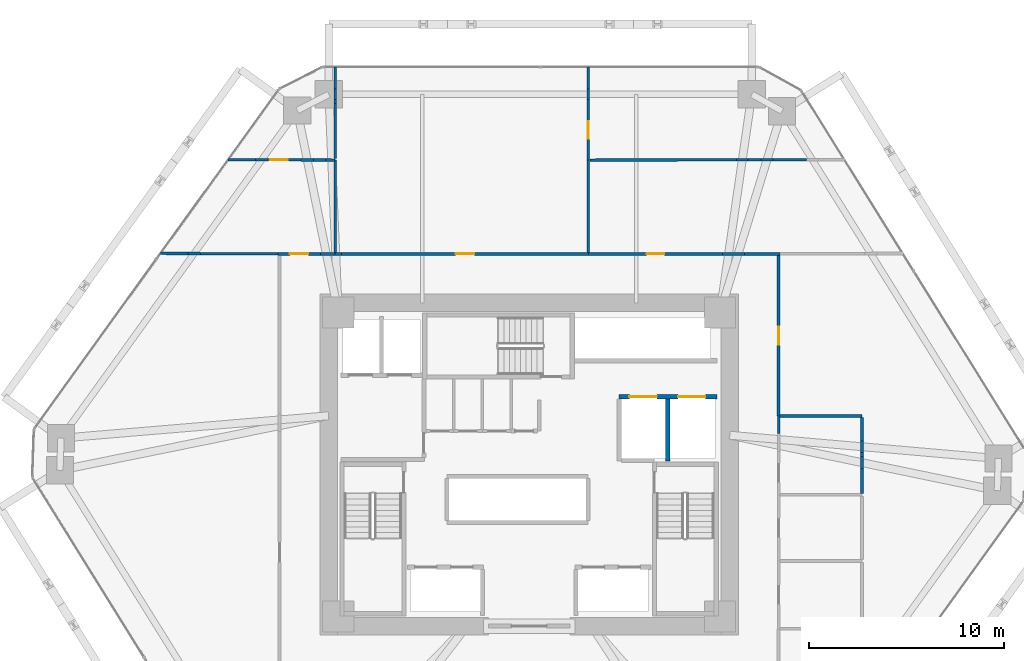
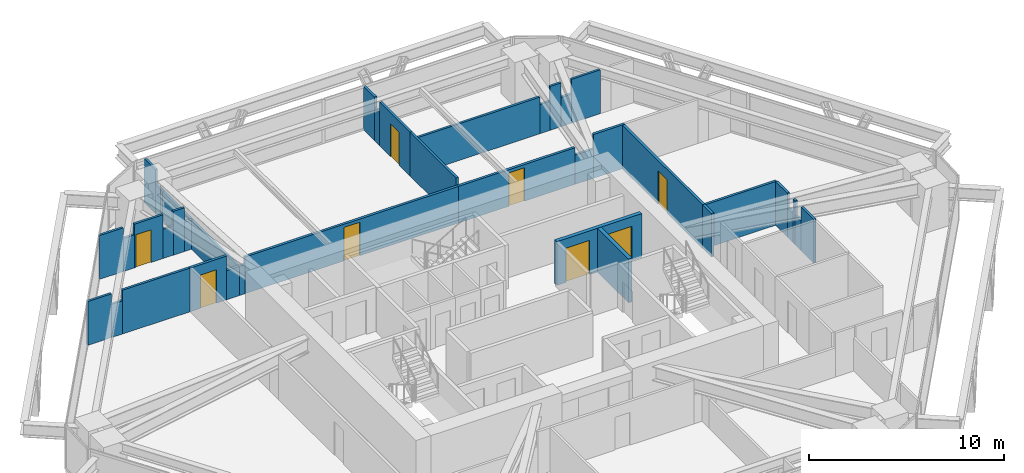
# One storey, part 13 of 15: 40 walls, 8 doors, 8 openings.
"""IFC4 building model written with IfcOpenShell, lengths in metres."""

from ifc_helpers import new_model, si_unit, direction, frame, frame_2d, origin, place, context, subcontext, project, spatial, rectangle, extrude, source, transform, mapped, material, layer, layer_set, type_object, type_shapes, element, fill, save


model = new_model("IFC4")

# Units and contexts
model_context = context("Model", 3, precision=1e-05, world=origin(), true_north=direction((0.0, 1.0)))
body_context = subcontext(model_context, "Body", "Model", "MODEL_VIEW")
ifc_project = project(units=[si_unit("LENGTHUNIT", "METRE"), si_unit("AREAUNIT", "SQUARE_METRE"), si_unit("VOLUMEUNIT", "CUBIC_METRE"), si_unit("PLANEANGLEUNIT", "RADIAN"), si_unit("MASSUNIT", "GRAM", prefix="KILO")], contexts=[model_context])

# Site, building, storey
site_placement = place(None, origin())
site = spatial("IfcSite", under=ifc_project, at=site_placement, CompositionType="ELEMENT")
building_placement = place(site_placement, origin())
building = spatial("IfcBuilding", under=site, at=building_placement, Name="Durnholm Broadcast Tower", CompositionType="ELEMENT")
storey_placement = place(building_placement, frame((0.0, 0.0, 81.300048828125)))
storey = spatial("IfcBuildingStorey", under=building, at=storey_placement, Name="L21", CompositionType="ELEMENT", Elevation=81.300048828125)

# Wall
ifc_material_1 = material(Name="Gypsum Metal Stud Partition", Category="concrete")
ifc_layer_1 = layer(ifc_material_1, 0.135009765625)
ifc_layer_set_1 = layer_set([ifc_layer_1], Name="Gypsum Metal Stud Partition")
wall_type_1 = type_object("IfcWallType", Name="WALL-PART-135", PredefinedType="PARTITIONING", material=ifc_layer_set_1)
wall_1_placement = place(storey_placement, frame((-15.4501953125, 15.6484375, 0.0), z_axis=(0.0, 0.0, 1.0), x_axis=(0.999991185406, -0.004198703368, 0.0)))
element("IfcWall", 1, at=wall_1_placement, inside=storey, type_object=wall_type_1, Name="L21 room dividing partition 8.9", PredefinedType="PARTITIONING", context=body_context, shape_type="SweptSolid", body=[
    extrude(rectangle(XDim=1.3955078125, YDim=0.135009765625, at=frame_2d((0.69775390625, 0.0))), origin(), (0.0, 0.0, 1.0), 2.744873046875),
])

# Wall, opening, door
wall_2_placement = place(storey_placement, frame((-13.404541015625, 15.6396484375, 0.0), z_axis=(0.0, 0.0, 1.0), x_axis=(0.999990766396, -0.004297338919, 0.0)))
wall_2 = element("IfcWall", 2, at=wall_2_placement, inside=storey, type_object=wall_type_1, Name="L21 room dividing partition 8.9", PredefinedType="PARTITIONING", context=body_context, shape_type="SweptSolid", body=[
    extrude(rectangle(XDim=1.704345703125, YDim=0.135009765625, at=frame_2d((0.85205078125, 0.0))), origin(), (0.0, 0.0, 1.0), 2.744873046875),
])
opening_1_placement = place(wall_2_placement, frame((0.10009765625, 0.0, 0.0)))
opening_1 = element("IfcOpeningElement", 3, at=opening_1_placement, cuts=wall_2, Name="Opening DW-90L", PredefinedType="OPENING", context=body_context, shape_type="SweptSolid", body=[
    extrude(rectangle(XDim=0.89990234375, YDim=2.050048828125, at=frame_2d((0.449951171875, 1.02490234375))), frame((0.0, 0.07763671875, 0.0), z_axis=(0.0, -1.0, 0.0), x_axis=(1.0, 0.0, 0.0)), (0.0, 0.0, 1.0), 0.155029296875),
])
ifc_material_2 = material(Name="Laminate Restroom Door", Category="steel")
ifc_layer_2 = layer(ifc_material_2, 0.050048828125)
ifc_layer_set_2 = layer_set([ifc_layer_2], Name="Laminate Restroom Door")
door_type_1 = type_object("IfcDoorType", Name="DOOR-WC-900L", OperationType="NOTDEFINED", PredefinedType="DOOR", material=ifc_layer_set_2)
shared_shape_1 = source(origin(), body_context, "Body", "SweptSolid", [
    extrude(rectangle(XDim=0.89990234375, YDim=2.050048828125, at=frame_2d((0.449951171875, 1.02490234375))), frame((0.0, 0.02490234375, 0.0), z_axis=(0.0, -1.0, 0.0), x_axis=(1.0, 0.0, 0.0)), (0.0, 0.0, 1.0), 0.050048828125),
])
type_shapes(door_type_1, [shared_shape_1])
door_1_placement = place(opening_1_placement, origin())
door_1 = element("IfcDoor", 4, at=door_1_placement, inside=storey, type_object=door_type_1, Name="L21 Remote Feed Meeting Room connecting door", OperationType="SINGLE_SWING_LEFT", OverallHeight=2.050048828125, OverallWidth=0.89990234375, PredefinedType="DOOR", context=body_context, shape_type="MappedRepresentation", body=[
    mapped(shared_shape_1, transform((0.0, 0.0, 0.0), x_axis=(1.0, 0.0, 0.0), y_axis=(0.0, 1.0, 0.0), z_axis=(0.0, 0.0, 1.0), scale=1.0)),
])
fill(opening_1, door_1)

# Walls
wall_3_placement = place(storey_placement, frame((-11.083251953125, 15.6298828125, 0.0), z_axis=(0.0, 0.0, 1.0), x_axis=(0.999989638206, -0.004552304878, 0.0)))
element("IfcWall", 5, at=wall_3_placement, inside=storey, type_object=wall_type_1, Name="L21 room dividing partition 8.9", PredefinedType="PARTITIONING", context=body_context, shape_type="SweptSolid", body=[
    extrude(rectangle(XDim=0.6435546875, YDim=0.135009765625, at=frame_2d((0.32177734375, 0.0))), origin(), (0.0, 0.0, 1.0), 2.744873046875),
])
wall_4_placement = place(storey_placement, frame((-14.0546875, 15.642578125, 0.0), z_axis=(0.0, 0.0, 1.0), x_axis=(0.999989847253, -0.004506150269, 0.0)))
element("IfcWall", 6, at=wall_4_placement, inside=storey, type_object=wall_type_1, Name="L21 room dividing partition 8.9", PredefinedType="PARTITIONING", context=body_context, shape_type="SweptSolid", body=[
    extrude(rectangle(XDim=0.650146484375, YDim=0.135009765625, at=frame_2d((0.3251953125, 0.0))), origin(), (0.0, 0.0, 1.0), 2.079833984375),
])
wall_5_placement = place(storey_placement, frame((-11.7001953125, 15.63232421875, 0.0), z_axis=(0.0, 0.0, 1.0), x_axis=(0.999992170132, -0.00395723059, 0.0)))
element("IfcWall", 7, at=wall_5_placement, inside=storey, type_object=wall_type_1, Name="L21 room dividing partition 8.9", PredefinedType="PARTITIONING", context=body_context, shape_type="SweptSolid", body=[
    extrude(rectangle(XDim=0.616943359375, YDim=0.135009765625, at=frame_2d((0.30859375, 0.0))), origin(), (0.0, 0.0, 1.0), 1.830078125),
])
wall_6_placement = place(storey_placement, frame((-10.439697265625, 15.626953125, 0.0), z_axis=(0.0, 0.0, 1.0), x_axis=(0.999991712578, -0.004071213079, 0.0)))
element("IfcWall", 8, at=wall_6_placement, inside=storey, type_object=wall_type_1, Name="L21 room dividing partition 8.9", PredefinedType="PARTITIONING", context=body_context, shape_type="SweptSolid", body=[
    extrude(rectangle(XDim=0.479736328125, YDim=0.135009765625, at=frame_2d((0.23974609375, 0.0))), origin(), (0.0, 0.0, 1.0), 1.830078125),
])
wall_7_placement = place(storey_placement, frame((-9.9599609375, 15.625, 0.0), z_axis=(0.0, 0.0, 1.0), x_axis=(0.0, -1.0, 0.0)))
element("IfcWall", 9, at=wall_7_placement, inside=storey, type_object=wall_type_1, Name="L21 room dividing partition 8.10", PredefinedType="PARTITIONING", context=body_context, shape_type="SweptSolid", body=[
    extrude(rectangle(XDim=4.736083984375, YDim=0.135009765625, at=frame_2d((2.3681640625, 0.0))), origin(), (0.0, 0.0, 1.0), 1.830078125),
])
wall_8_placement = place(storey_placement, frame((-12.889892578125, 10.810302734375, 0.0), z_axis=(0.0, 0.0, 1.0), x_axis=(-0.999992552799, 0.003859319458, 0.0)))
element("IfcWall", 10, at=wall_8_placement, inside=storey, type_object=wall_type_1, Name="L21 room dividing partition 8.18", PredefinedType="PARTITIONING", context=body_context, shape_type="SweptSolid", body=[
    extrude(rectangle(XDim=3.9853515625, YDim=0.135009765625, at=frame_2d((1.99267578125, 0.0))), origin(), (0.0, 0.0, 1.0), 2.744873046875),
])
wall_9_placement = place(storey_placement, frame((-17.52587890625, 10.828125, 0.0), z_axis=(0.0, 0.0, 1.0), x_axis=(-0.999992598457, 0.003847470648, 0.0)))
element("IfcWall", 11, at=wall_9_placement, inside=storey, type_object=wall_type_1, Name="L21 room dividing partition 8.18", PredefinedType="PARTITIONING", context=body_context, shape_type="SweptSolid", body=[
    extrude(rectangle(XDim=1.39599609375, YDim=0.135009765625, at=frame_2d((0.697998046875, 0.0))), origin(), (0.0, 0.0, 1.0), 2.744873046875),
])
wall_10_placement = place(storey_placement, frame((-16.875244140625, 10.82568359375, 0.0), z_axis=(0.0, 0.0, 1.0), x_axis=(-0.999992960027, 0.003752318799, 0.0)))
element("IfcWall", 12, at=wall_10_placement, inside=storey, type_object=wall_type_1, Name="L21 room dividing partition 8.18", PredefinedType="PARTITIONING", context=body_context, shape_type="SweptSolid", body=[
    extrude(rectangle(XDim=0.650634765625, YDim=0.135009765625, at=frame_2d((0.3251953125, 0.0))), origin(), (0.0, 0.0, 1.0), 2.079833984375),
])
wall_11_placement = place(storey_placement, frame((-9.9599609375, 20.39990234375, 0.0), z_axis=(0.0, 0.0, 1.0), x_axis=(0.0, -1.0, 0.0)))
element("IfcWall", 13, at=wall_11_placement, inside=storey, type_object=wall_type_1, Name="L21 room dividing partition 9.10", PredefinedType="PARTITIONING", context=body_context, shape_type="SweptSolid", body=[
    extrude(rectangle(XDim=1.135498046875, YDim=0.135009765625, at=frame_2d((0.56787109375, 0.0))), origin(), (0.0, 0.0, 1.0), 2.744873046875),
])
wall_12_placement = place(storey_placement, frame((-9.9599609375, 18.735595703125, 0.0), z_axis=(0.0, 0.0, 1.0), x_axis=(0.0, -1.0, 0.0)))
element("IfcWall", 14, at=wall_12_placement, inside=storey, type_object=wall_type_1, Name="L21 room dividing partition 9.10", PredefinedType="PARTITIONING", context=body_context, shape_type="SweptSolid", body=[
    extrude(rectangle(XDim=0.211669921875, YDim=0.135009765625, at=frame_2d((0.10595703125, 0.0))), origin(), (0.0, 0.0, 1.0), 1.830078125),
])
wall_13_placement = place(storey_placement, frame((-9.9599609375, 19.264404296875, 0.0), z_axis=(0.0, 0.0, 1.0), x_axis=(0.0, -1.0, 0.0)))
element("IfcWall", 15, at=wall_13_placement, inside=storey, type_object=wall_type_1, Name="L21 room dividing partition 9.10", PredefinedType="PARTITIONING", context=body_context, shape_type="SweptSolid", body=[
    extrude(rectangle(XDim=0.52880859375, YDim=0.135009765625, at=frame_2d((0.264404296875, 0.0))), origin(), (0.0, 0.0, 1.0), 1.830078125),
])
wall_14_placement = place(storey_placement, frame((-9.9599609375, 18.52392578125, 0.0), z_axis=(0.0, 0.0, 1.0), x_axis=(0.0, -1.0, 0.0)))
element("IfcWall", 16, at=wall_14_placement, inside=storey, type_object=wall_type_1, Name="L21 room dividing partition 9.10", PredefinedType="PARTITIONING", context=body_context, shape_type="SweptSolid", body=[
    extrude(rectangle(XDim=2.827392578125, YDim=0.135009765625, at=frame_2d((1.41357421875, 0.0))), origin(), (0.0, 0.0, 1.0), 1.830078125),
])
wall_15_placement = place(storey_placement, frame((3.0400390625, 15.625, 0.0), z_axis=(0.0, 0.0, 1.0), x_axis=(0.0, -1.0, 0.0)))
element("IfcWall", 17, at=wall_15_placement, inside=storey, type_object=wall_type_1, Name="L21 room dividing partition 10.11", PredefinedType="PARTITIONING", context=body_context, shape_type="SweptSolid", body=[
    extrude(rectangle(XDim=4.736083984375, YDim=0.135009765625, at=frame_2d((2.3681640625, 0.0))), origin(), (0.0, 0.0, 1.0), 2.744873046875),
])
wall_16_placement = place(storey_placement, frame((3.0400390625, 20.39990234375, 0.0), z_axis=(0.0, 0.0, 1.0), x_axis=(0.0, -1.0, 0.0)))
element("IfcWall", 18, at=wall_16_placement, inside=storey, type_object=wall_type_1, Name="L21 room dividing partition 10.12", PredefinedType="PARTITIONING", context=body_context, shape_type="SweptSolid", body=[
    extrude(rectangle(XDim=1.135498046875, YDim=0.135009765625, at=frame_2d((0.56787109375, 0.0))), origin(), (0.0, 0.0, 1.0), 2.744873046875),
])

# Wall, opening, door
wall_17_placement = place(storey_placement, frame((3.0400390625, 18.735595703125, 0.0), z_axis=(0.0, 0.0, 1.0), x_axis=(0.0, -1.0, 0.0)))
wall_17 = element("IfcWall", 19, at=wall_17_placement, inside=storey, type_object=wall_type_1, Name="L21 room dividing partition 10.12", PredefinedType="PARTITIONING", context=body_context, shape_type="SweptSolid", body=[
    extrude(rectangle(XDim=3.110595703125, YDim=0.135009765625, at=frame_2d((1.55517578125, 0.0))), origin(), (0.0, 0.0, 1.0), 2.744873046875),
])
opening_2_placement = place(wall_17_placement, frame((1.105224609375, 0.0, 0.0)))
opening_2 = element("IfcOpeningElement", 20, at=opening_2_placement, cuts=wall_17, Name="Opening DW-90L", PredefinedType="OPENING", context=body_context, shape_type="SweptSolid", body=[
    extrude(rectangle(XDim=0.89990234375, YDim=2.050048828125, at=frame_2d((0.449951171875, 1.02490234375))), frame((0.0, 0.07763671875, 0.0), z_axis=(0.0, -1.0, 0.0), x_axis=(1.0, 0.0, 0.0)), (0.0, 0.0, 1.0), 0.155029296875),
])
door_2_placement = place(opening_2_placement, origin())
door_2 = element("IfcDoor", 21, at=door_2_placement, inside=storey, type_object=door_type_1, Name="L21 Bureau Kitchen connecting door", OperationType="SINGLE_SWING_LEFT", OverallHeight=2.050048828125, OverallWidth=0.89990234375, PredefinedType="DOOR", context=body_context, shape_type="MappedRepresentation", body=[
    mapped(shared_shape_1, transform((0.0, 0.0, 0.0), x_axis=(1.0, 0.0, 0.0), y_axis=(0.0, 1.0, 0.0), z_axis=(0.0, 0.0, 1.0), scale=1.0)),
])
fill(opening_2, door_2)

# Walls
wall_18_placement = place(storey_placement, frame((3.0400390625, 19.264404296875, 0.0), z_axis=(0.0, 0.0, 1.0), x_axis=(0.0, -1.0, 0.0)))
element("IfcWall", 22, at=wall_18_placement, inside=storey, type_object=wall_type_1, Name="L21 room dividing partition 10.12", PredefinedType="PARTITIONING", context=body_context, shape_type="SweptSolid", body=[
    extrude(rectangle(XDim=0.52880859375, YDim=0.135009765625, at=frame_2d((0.264404296875, 0.0))), origin(), (0.0, 0.0, 1.0), 2.079833984375),
])
wall_19_placement = place(storey_placement, frame((3.111572265625, 15.625244140625, 0.0), z_axis=(0.0, 0.0, 1.0), x_axis=(0.99999873623, 0.00158982311, 0.0)))
element("IfcWall", 23, at=wall_19_placement, inside=storey, type_object=wall_type_1, Name="L21 room dividing partition 11.12", PredefinedType="PARTITIONING", context=body_context, shape_type="SweptSolid", body=[
    extrude(rectangle(XDim=7.524658203125, YDim=0.135009765625, at=frame_2d((3.76220703125, 0.0))), origin(), (0.0, 0.0, 1.0), 2.297607421875),
])
wall_20_placement = place(storey_placement, frame((11.246826171875, 15.63818359375, 0.0), z_axis=(0.0, 0.0, 1.0), x_axis=(0.999998238671, 0.001876873571, 0.0)))
element("IfcWall", 24, at=wall_20_placement, inside=storey, type_object=wall_type_1, Name="L21 room dividing partition 11.12", PredefinedType="PARTITIONING", context=body_context, shape_type="SweptSolid", body=[
    extrude(rectangle(XDim=0.650390625, YDim=0.135009765625, at=frame_2d((0.3251953125, 0.0))), origin(), (0.0, 0.0, 1.0), 2.744873046875),
])
wall_21_placement = place(storey_placement, frame((12.529541015625, 15.640380859375, 0.0), z_axis=(0.0, 0.0, 1.0), x_axis=(0.999998745314, 0.001584099395, 0.0)))
element("IfcWall", 25, at=wall_21_placement, inside=storey, type_object=wall_type_1, Name="L21 room dividing partition 11.12", PredefinedType="PARTITIONING", context=body_context, shape_type="SweptSolid", body=[
    extrude(rectangle(XDim=1.6953125, YDim=0.135009765625, at=frame_2d((0.84765625, 0.0))), origin(), (0.0, 0.0, 1.0), 2.744873046875),
])
wall_22_placement = place(storey_placement, frame((10.63623046875, 15.63720703125, 0.0), z_axis=(0.0, 0.0, 1.0), x_axis=(0.999998721026, 0.00159935821, 0.0)))
element("IfcWall", 26, at=wall_22_placement, inside=storey, type_object=wall_type_1, Name="L21 room dividing partition 11.12", PredefinedType="PARTITIONING", context=body_context, shape_type="SweptSolid", body=[
    extrude(rectangle(XDim=0.610595703125, YDim=0.135009765625, at=frame_2d((0.30517578125, 0.0))), origin(), (0.0, 0.0, 1.0), 1.830078125),
])
wall_23_placement = place(storey_placement, frame((11.897216796875, 15.639404296875, 0.0), z_axis=(0.0, 0.0, 1.0), x_axis=(0.999998807414, 0.001544399703, 0.0)))
element("IfcWall", 27, at=wall_23_placement, inside=storey, type_object=wall_type_1, Name="L21 room dividing partition 11.12", PredefinedType="PARTITIONING", context=body_context, shape_type="SweptSolid", body=[
    extrude(rectangle(XDim=0.63232421875, YDim=0.135009765625, at=frame_2d((0.316162109375, 0.0))), origin(), (0.0, 0.0, 1.0), 1.830078125),
])

# Wall, opening, door
ifc_material_3 = material(Name="Acoustic Gypsum Stud Partition", Category="concrete")
ifc_layer_3 = layer(ifc_material_3, 0.14990234375)
ifc_layer_set_3 = layer_set([ifc_layer_3], Name="Acoustic Gypsum Stud Partition")
wall_type_2 = type_object("IfcWallType", Name="WALL-PART-150", PredefinedType="PARTITIONING", material=ifc_layer_set_3)
wall_24_placement = place(storey_placement, frame((-10.719970703125, 10.81005859375, 0.0), z_axis=(0.0, 0.0, 1.0), x_axis=(-1.0, 0.0, 0.0)))
wall_24 = element("IfcWall", 28, at=wall_24_placement, inside=storey, type_object=wall_type_2, Name="L21 Regional Bureau Hall corridor partition", PredefinedType="PARTITIONING", context=body_context, shape_type="SweptSolid", body=[
    extrude(rectangle(XDim=2.169921875, YDim=0.14990234375, at=frame_2d((1.0849609375, 0.0))), origin(), (0.0, 0.0, 1.0), 2.744873046875),
])
opening_3_placement = place(wall_24_placement, frame((0.610107421875, 0.0, 0.0)))
opening_3 = element("IfcOpeningElement", 29, at=opening_3_placement, cuts=wall_24, Name="Opening DR-95L", PredefinedType="OPENING", context=body_context, shape_type="SweptSolid", body=[
    extrude(rectangle(XDim=0.949951171875, YDim=2.10009765625, at=frame_2d((0.47509765625, 1.050048828125))), frame((0.0, 0.0849609375, 0.0), z_axis=(0.0, -1.0, 0.0), x_axis=(1.0, 0.0, 0.0)), (0.0, 0.0, 1.0), 0.169921875),
])
ifc_material_4 = material(Name="Acoustic Oak Veneer Timber Door", Category="wood")
ifc_layer_4 = layer(ifc_material_4, 0.050048828125)
ifc_layer_set_4 = layer_set([ifc_layer_4], Name="Acoustic Oak Veneer Timber Door")
door_type_2 = type_object("IfcDoorType", Name="DOOR-RM-950L", OperationType="NOTDEFINED", PredefinedType="DOOR", material=ifc_layer_set_4)
shared_shape_2 = source(origin(), body_context, "Body", "SweptSolid", [
    extrude(rectangle(XDim=0.949951171875, YDim=2.10009765625, at=frame_2d((0.47509765625, 1.050048828125))), frame((0.0, 0.02490234375, 0.0), z_axis=(0.0, -1.0, 0.0), x_axis=(1.0, 0.0, 0.0)), (0.0, 0.0, 1.0), 0.050048828125),
])
type_shapes(door_type_2, [shared_shape_2])
door_3_placement = place(opening_3_placement, origin())
door_3 = element("IfcDoor", 30, at=door_3_placement, inside=storey, type_object=door_type_2, Name="L21 Regional Bureau Hall entrance door", OperationType="SINGLE_SWING_LEFT", OverallHeight=2.10009765625, OverallWidth=0.949951171875, PredefinedType="DOOR", context=body_context, shape_type="MappedRepresentation", body=[
    mapped(shared_shape_2, transform((0.0, 0.0, 0.0), x_axis=(1.0, 0.0, 0.0), y_axis=(0.0, 1.0, 0.0), z_axis=(0.0, 0.0, 1.0), scale=1.0)),
])
fill(opening_3, door_3)

# Wall
wall_25_placement = place(storey_placement, frame((-9.9599609375, 10.81005859375, 0.0), z_axis=(0.0, 0.0, 1.0), x_axis=(-1.0, 0.0, 0.0)))
element("IfcWall", 31, at=wall_25_placement, inside=storey, type_object=wall_type_2, Name="L21 Regional Bureau Hall corridor partition", PredefinedType="PARTITIONING", context=body_context, shape_type="SweptSolid", body=[
    extrude(rectangle(XDim=0.760009765625, YDim=0.14990234375, at=frame_2d((0.3798828125, 0.0))), origin(), (0.0, 0.0, 1.0), 1.830078125),
])

# Wall, opening, door
wall_26_placement = place(storey_placement, frame((3.0400390625, 10.81005859375, 0.0), z_axis=(0.0, 0.0, 1.0), x_axis=(-1.0, 0.0, 0.0)))
wall_26 = element("IfcWall", 32, at=wall_26_placement, inside=storey, type_object=wall_type_2, Name="L21 Bureau Meeting Room corridor partition", PredefinedType="PARTITIONING", context=body_context, shape_type="SweptSolid", body=[
    extrude(rectangle(XDim=12.66748046875, YDim=0.14990234375, at=frame_2d((6.333740234375, 0.0))), origin(), (0.0, 0.0, 1.0), 2.297607421875),
])
opening_4_placement = place(wall_26_placement, frame((5.85888671875, 0.0, 0.0)))
opening_4 = element("IfcOpeningElement", 33, at=opening_4_placement, cuts=wall_26, Name="Opening DR-95R", PredefinedType="OPENING", context=body_context, shape_type="SweptSolid", body=[
    extrude(rectangle(XDim=0.949951171875, YDim=2.10009765625, at=frame_2d((0.47509765625, 1.050048828125))), frame((0.0, 0.0849609375, 0.0), z_axis=(0.0, -1.0, 0.0), x_axis=(1.0, 0.0, 0.0)), (0.0, 0.0, 1.0), 0.169921875),
])
ifc_layer_5 = layer(ifc_material_4, 0.050048828125)
ifc_layer_set_5 = layer_set([ifc_layer_5], Name="Acoustic Oak Veneer Timber Door")
door_type_3 = type_object("IfcDoorType", Name="DOOR-RM-950R", OperationType="NOTDEFINED", PredefinedType="DOOR", material=ifc_layer_set_5)
shared_shape_3 = source(origin(), body_context, "Body", "SweptSolid", [
    extrude(rectangle(XDim=0.949951171875, YDim=2.10009765625, at=frame_2d((0.47509765625, 1.050048828125))), frame((0.0, 0.02490234375, 0.0), z_axis=(0.0, -1.0, 0.0), x_axis=(1.0, 0.0, 0.0)), (0.0, 0.0, 1.0), 0.050048828125),
])
type_shapes(door_type_3, [shared_shape_3])
door_4_placement = place(opening_4_placement, origin())
door_4 = element("IfcDoor", 34, at=door_4_placement, inside=storey, type_object=door_type_3, Name="L21 Bureau Meeting Room entrance door", OperationType="SINGLE_SWING_RIGHT", OverallHeight=2.10009765625, OverallWidth=0.949951171875, PredefinedType="DOOR", context=body_context, shape_type="MappedRepresentation", body=[
    mapped(shared_shape_3, transform((0.0, 0.0, 0.0), x_axis=(1.0, 0.0, 0.0), y_axis=(0.0, 1.0, 0.0), z_axis=(0.0, 0.0, 1.0), scale=1.0)),
])
fill(opening_4, door_4)

# Walls
wall_27_placement = place(storey_placement, frame((-9.62744140625, 10.81005859375, 0.0), z_axis=(0.0, 0.0, 1.0), x_axis=(-1.0, 0.0, 0.0)))
element("IfcWall", 35, at=wall_27_placement, inside=storey, type_object=wall_type_2, Name="L21 Bureau Meeting Room corridor partition", PredefinedType="PARTITIONING", context=body_context, shape_type="SweptSolid", body=[
    extrude(rectangle(XDim=0.33251953125, YDim=0.14990234375, at=frame_2d((0.166259765625, 0.0))), origin(), (0.0, 0.0, 1.0), 1.830078125),
])
wall_28_placement = place(storey_placement, frame((12.889892578125, 10.81005859375, 0.0), z_axis=(0.0, 0.0, 1.0), x_axis=(-1.0, 0.0, 0.0)))
element("IfcWall", 36, at=wall_28_placement, inside=storey, type_object=wall_type_2, Name="L21 Press Lounge corridor partition", PredefinedType="PARTITIONING", context=body_context, shape_type="SweptSolid", body=[
    extrude(rectangle(XDim=1.847412109375, YDim=0.14990234375, at=frame_2d((0.923828125, 0.0))), origin(), (0.0, 0.0, 1.0), 2.744873046875),
])

# Wall, opening, door
wall_29_placement = place(storey_placement, frame((9.93310546875, 10.81005859375, 0.0), z_axis=(0.0, 0.0, 1.0), x_axis=(-1.0, 0.0, 0.0)))
wall_29 = element("IfcWall", 37, at=wall_29_placement, inside=storey, type_object=wall_type_2, Name="L21 Press Lounge corridor partition", PredefinedType="PARTITIONING", context=body_context, shape_type="SweptSolid", body=[
    extrude(rectangle(XDim=6.89306640625, YDim=0.14990234375, at=frame_2d((3.446533203125, 0.0))), origin(), (0.0, 0.0, 1.0), 2.297607421875),
])
opening_5_placement = place(wall_29_placement, frame((2.986572265625, 0.0, 0.0)))
opening_5 = element("IfcOpeningElement", 38, at=opening_5_placement, cuts=wall_29, Name="Opening DR-92L", PredefinedType="OPENING", context=body_context, shape_type="SweptSolid", body=[
    extrude(rectangle(XDim=0.919921875, YDim=2.10009765625, at=frame_2d((0.4599609375, 1.050048828125))), frame((0.0, 0.0849609375, 0.0), z_axis=(0.0, -1.0, 0.0), x_axis=(1.0, 0.0, 0.0)), (0.0, 0.0, 1.0), 0.169921875),
])
ifc_material_5 = material(Name="Oak Veneer Office Door", Category="wood")
ifc_layer_6 = layer(ifc_material_5, 0.050048828125)
ifc_layer_set_6 = layer_set([ifc_layer_6], Name="Oak Veneer Office Door")
door_type_4 = type_object("IfcDoorType", Name="DOOR-RM-920L", OperationType="NOTDEFINED", PredefinedType="DOOR", material=ifc_layer_set_6)
shared_shape_4 = source(origin(), body_context, "Body", "SweptSolid", [
    extrude(rectangle(XDim=0.919921875, YDim=2.10009765625, at=frame_2d((0.4599609375, 1.050048828125))), frame((0.0, 0.02490234375, 0.0), z_axis=(0.0, -1.0, 0.0), x_axis=(1.0, 0.0, 0.0)), (0.0, 0.0, 1.0), 0.050048828125),
])
type_shapes(door_type_4, [shared_shape_4])
door_5_placement = place(opening_5_placement, origin())
door_5 = element("IfcDoor", 39, at=door_5_placement, inside=storey, type_object=door_type_4, Name="L21 Press Lounge entrance door", OperationType="SINGLE_SWING_LEFT", OverallHeight=2.10009765625, OverallWidth=0.919921875, PredefinedType="DOOR", context=body_context, shape_type="MappedRepresentation", body=[
    mapped(shared_shape_4, transform((0.0, 0.0, 0.0), x_axis=(1.0, 0.0, 0.0), y_axis=(0.0, 1.0, 0.0), z_axis=(0.0, 0.0, 1.0), scale=1.0)),
])
fill(opening_5, door_5)

# Wall
wall_30_placement = place(storey_placement, frame((11.04248046875, 10.81005859375, 0.0), z_axis=(0.0, 0.0, 1.0), x_axis=(-1.0, 0.0, 0.0)))
element("IfcWall", 40, at=wall_30_placement, inside=storey, type_object=wall_type_2, Name="L21 Press Lounge corridor partition", PredefinedType="PARTITIONING", context=body_context, shape_type="SweptSolid", body=[
    extrude(rectangle(XDim=1.109375, YDim=0.14990234375, at=frame_2d((0.5546875, 0.0))), origin(), (0.0, 0.0, 1.0), 1.830078125),
])

# Wall, opening, door
wall_31_placement = place(storey_placement, frame((12.81005859375, 2.489990234375, 0.0), z_axis=(0.0, 0.0, 1.0), x_axis=(0.0, 1.0, 0.0)))
wall_31 = element("IfcWall", 41, at=wall_31_placement, inside=storey, type_object=wall_type_2, Name="L21 Press Lounge corridor partition", PredefinedType="PARTITIONING", context=body_context, shape_type="SweptSolid", body=[
    extrude(rectangle(XDim=8.240966796875, YDim=0.14990234375, at=frame_2d((4.12060546875, 0.0))), origin(), (0.0, 0.0, 1.0), 2.744873046875),
])
opening_6_placement = place(wall_31_placement, frame((3.660400390625, 0.0, 0.0)))
opening_6 = element("IfcOpeningElement", 42, at=opening_6_placement, cuts=wall_31, Name="Opening DR-92L", PredefinedType="OPENING", context=body_context, shape_type="SweptSolid", body=[
    extrude(rectangle(XDim=0.919921875, YDim=2.10009765625, at=frame_2d((0.4599609375, 1.050048828125))), frame((0.0, 0.0849609375, 0.0), z_axis=(0.0, -1.0, 0.0), x_axis=(1.0, 0.0, 0.0)), (0.0, 0.0, 1.0), 0.169921875),
])
door_6_placement = place(opening_6_placement, origin())
door_6 = element("IfcDoor", 43, at=door_6_placement, inside=storey, type_object=door_type_4, Name="L21 Press Lounge entrance door", OperationType="SINGLE_SWING_LEFT", OverallHeight=2.10009765625, OverallWidth=0.919921875, PredefinedType="DOOR", context=body_context, shape_type="MappedRepresentation", body=[
    mapped(shared_shape_4, transform((0.0, 0.0, 0.0), x_axis=(1.0, 0.0, 0.0), y_axis=(0.0, 1.0, 0.0), z_axis=(0.0, 0.0, 1.0), scale=1.0)),
])
fill(opening_6, door_6)

# Wall, openings, doors
ifc_material_6 = material(Name="Concrete Blockwork C30/37", Category="masonry")
ifc_layer_7 = layer(ifc_material_6, 0.219970703125)
ifc_layer_set_7 = layer_set([ifc_layer_7], Name="Concrete Blockwork C30/37")
wall_type_3 = type_object("IfcWallType", Name="WALL-SHAFT-220", PredefinedType="SOLIDWALL", material=ifc_layer_set_7)
wall_32_placement = place(storey_placement, frame((4.60009765625, 3.47998046875, 0.0), z_axis=(0.0, 0.0, 1.0), x_axis=(1.0, 0.0, 0.0)))
wall_32 = element("IfcWall", 44, at=wall_32_placement, inside=storey, type_object=wall_type_3, Name="L21 freight service lifts north front wall", PredefinedType="SOLIDWALL", context=body_context, shape_type="SweptSolid", body=[
    extrude(rectangle(XDim=5.0498046875, YDim=0.219970703125, at=frame_2d((2.52490234375, 0.0))), origin(), (0.0, 0.0, 1.0), 2.744873046875),
])
opening_7_placement = place(wall_32_placement, frame((0.550048828125, 0.0, 0.0)))
opening_7 = element("IfcOpeningElement", 45, at=opening_7_placement, cuts=wall_32, Name="Opening LD-SVL-2", PredefinedType="OPENING", context=body_context, shape_type="SweptSolid", body=[
    extrude(rectangle(XDim=1.39990234375, YDim=2.14990234375, at=frame_2d((0.699951171875, 1.074951171875))), frame((0.0, 0.1201171875, 0.0), z_axis=(0.0, -1.0, 0.0), x_axis=(1.0, 0.0, 0.0)), (0.0, 0.0, 1.0), 0.239990234375),
])
opening_8_placement = place(wall_32_placement, frame((3.050048828125, 0.0, 0.0)))
opening_8 = element("IfcOpeningElement", 46, at=opening_8_placement, cuts=wall_32, Name="Opening LD-SVL-1", PredefinedType="OPENING", context=body_context, shape_type="SweptSolid", body=[
    extrude(rectangle(XDim=1.39990234375, YDim=2.14990234375, at=frame_2d((0.699951171875, 1.074951171875))), frame((0.0, 0.1201171875, 0.0), z_axis=(0.0, -1.0, 0.0), x_axis=(1.0, 0.0, 0.0)), (0.0, 0.0, 1.0), 0.239990234375),
])
ifc_material_7 = material(Name="Freight Elevator Bi-Parting Sliding Landing Door", Category="steel")
ifc_layer_8 = layer(ifc_material_7, 0.050048828125)
ifc_layer_set_8 = layer_set([ifc_layer_8], Name="Freight Elevator Bi-Parting Sliding Landing Door")
door_type_5 = type_object("IfcDoorType", Name="DOOR-LIFT-SVL", OperationType="DOUBLE_DOOR_SLIDING", PredefinedType="DOOR", material=ifc_layer_set_8)
shared_shape_5 = source(origin(), body_context, "Body", "SweptSolid", [
    extrude(rectangle(XDim=1.39990234375, YDim=2.14990234375, at=frame_2d((0.699951171875, 1.074951171875))), frame((0.0, 0.02490234375, 0.0), z_axis=(0.0, -1.0, 0.0), x_axis=(1.0, 0.0, 0.0)), (0.0, 0.0, 1.0), 0.050048828125),
])
type_shapes(door_type_5, [shared_shape_5])
door_7_placement = place(opening_7_placement, origin())
door_7 = element("IfcDoor", 47, at=door_7_placement, inside=storey, type_object=door_type_5, Name="L21 freight service elevator SVL-2 sliding landing door", OperationType="DOUBLE_DOOR_SLIDING", OverallHeight=2.14990234375, OverallWidth=1.39990234375, PredefinedType="DOOR", context=body_context, shape_type="MappedRepresentation", body=[
    mapped(shared_shape_5, transform((0.0, 0.0, 0.0), x_axis=(1.0, 0.0, 0.0), y_axis=(0.0, 1.0, 0.0), z_axis=(0.0, 0.0, 1.0), scale=1.0)),
])
fill(opening_7, door_7)
door_8_placement = place(opening_8_placement, origin())
door_8 = element("IfcDoor", 48, at=door_8_placement, inside=storey, type_object=door_type_5, Name="L21 freight service elevator SVL-1 sliding landing door", OperationType="DOUBLE_DOOR_SLIDING", OverallHeight=2.14990234375, OverallWidth=1.39990234375, PredefinedType="DOOR", context=body_context, shape_type="MappedRepresentation", body=[
    mapped(shared_shape_5, transform((0.0, 0.0, 0.0), x_axis=(1.0, 0.0, 0.0), y_axis=(0.0, 1.0, 0.0), z_axis=(0.0, 0.0, 1.0), scale=1.0)),
])
fill(opening_8, door_8)

# Walls
wall_33_placement = place(storey_placement, frame((7.1201171875, 0.179931640625, 0.0), z_axis=(0.0, 0.0, 1.0), x_axis=(0.0, 1.0, 0.0)))
element("IfcWall", 49, at=wall_33_placement, inside=storey, type_object=wall_type_3, Name="L21 freight service lifts divider wall", PredefinedType="SOLIDWALL", context=body_context, shape_type="SweptSolid", body=[
    extrude(rectangle(XDim=3.18603515625, YDim=0.219970703125, at=frame_2d((1.593017578125, 0.0))), origin(), (0.0, 0.0, 1.0), 2.744873046875),
])
ifc_material_8 = material(Name="Moisture-Resistant Tile Partition", Category="concrete")
ifc_layer_9 = layer(ifc_material_8, 0.139892578125)
ifc_layer_set_9 = layer_set([ifc_layer_9], Name="Moisture-Resistant Tile Partition")
wall_type_4 = type_object("IfcWallType", Name="WALL-WC-140", PredefinedType="PARTITIONING", material=ifc_layer_set_9)
wall_34_placement = place(storey_placement, frame((12.81005859375, 1.584716796875, 0.0), z_axis=(0.0, 0.0, 1.0), x_axis=(0.0, 1.0, 0.0)))
element("IfcWall", 50, at=wall_34_placement, inside=storey, type_object=wall_type_4, Name="L21 Accessible Restroom corridor partition", PredefinedType="PARTITIONING", context=body_context, shape_type="SweptSolid", body=[
    extrude(rectangle(XDim=0.9052734375, YDim=0.139892578125, at=frame_2d((0.45263671875, 0.0))), origin(), (0.0, 0.0, 1.0), 2.744873046875),
])
wall_35_placement = place(storey_placement, frame((12.888916015625, 2.489990234375, 0.0), z_axis=(0.0, 0.0, 1.0), x_axis=(1.0, 0.0, 0.0)))
element("IfcWall", 51, at=wall_35_placement, inside=storey, type_object=wall_type_4, Name="L21 room dividing partition 7.19", PredefinedType="PARTITIONING", context=body_context, shape_type="SweptSolid", body=[
    extrude(rectangle(XDim=4.201171875, YDim=0.139892578125, at=frame_2d((2.1005859375, 0.0))), origin(), (0.0, 0.0, 1.0), 2.744873046875),
])
wall_36_placement = place(storey_placement, frame((17.090087890625, 2.416015625, 0.0), z_axis=(0.0, 0.0, 1.0), x_axis=(0.0, -1.0, 0.0)))
element("IfcWall", 52, at=wall_36_placement, inside=storey, type_object=wall_type_4, Name="L21 room dividing partition 7.19", PredefinedType="PARTITIONING", context=body_context, shape_type="SweptSolid", body=[
    extrude(rectangle(XDim=1.203857421875, YDim=0.139892578125, at=frame_2d((0.60205078125, 0.0))), origin(), (0.0, 0.0, 1.0), 2.744873046875),
])
wall_37_placement = place(storey_placement, frame((17.090087890625, 0.60595703125, 0.0), z_axis=(0.0, 0.0, 1.0), x_axis=(0.0, -1.0, 0.0)))
element("IfcWall", 53, at=wall_37_placement, inside=storey, type_object=wall_type_4, Name="L21 room dividing partition 7.19", PredefinedType="PARTITIONING", context=body_context, shape_type="SweptSolid", body=[
    extrude(rectangle(XDim=0.205078125, YDim=0.139892578125, at=frame_2d((0.1025390625, 0.0))), origin(), (0.0, 0.0, 1.0), 2.744873046875),
])
wall_38_placement = place(storey_placement, frame((17.090087890625, -0.216064453125, 0.0), z_axis=(0.0, 0.0, 1.0), x_axis=(0.0, -1.0, 0.0)))
element("IfcWall", 54, at=wall_38_placement, inside=storey, type_object=wall_type_4, Name="L21 room dividing partition 7.19", PredefinedType="PARTITIONING", context=body_context, shape_type="SweptSolid", body=[
    extrude(rectangle(XDim=1.27001953125, YDim=0.139892578125, at=frame_2d((0.635009765625, 0.0))), origin(), (0.0, 0.0, 1.0), 2.744873046875),
])
wall_39_placement = place(storey_placement, frame((17.090087890625, 1.212158203125, 0.0), z_axis=(0.0, 0.0, 1.0), x_axis=(0.0, -1.0, 0.0)))
element("IfcWall", 55, at=wall_39_placement, inside=storey, type_object=wall_type_4, Name="L21 room dividing partition 7.19", PredefinedType="PARTITIONING", context=body_context, shape_type="SweptSolid", body=[
    extrude(rectangle(XDim=0.606201171875, YDim=0.139892578125, at=frame_2d((0.30322265625, 0.0))), origin(), (0.0, 0.0, 1.0), 1.830078125),
])
wall_40_placement = place(storey_placement, frame((17.090087890625, 0.40087890625, 0.0), z_axis=(0.0, 0.0, 1.0), x_axis=(0.0, -1.0, 0.0)))
element("IfcWall", 56, at=wall_40_placement, inside=storey, type_object=wall_type_4, Name="L21 room dividing partition 7.19", PredefinedType="PARTITIONING", context=body_context, shape_type="SweptSolid", body=[
    extrude(rectangle(XDim=0.616943359375, YDim=0.139892578125, at=frame_2d((0.30859375, 0.0))), origin(), (0.0, 0.0, 1.0), 1.830078125),
])

save(model, "model.ifc")
